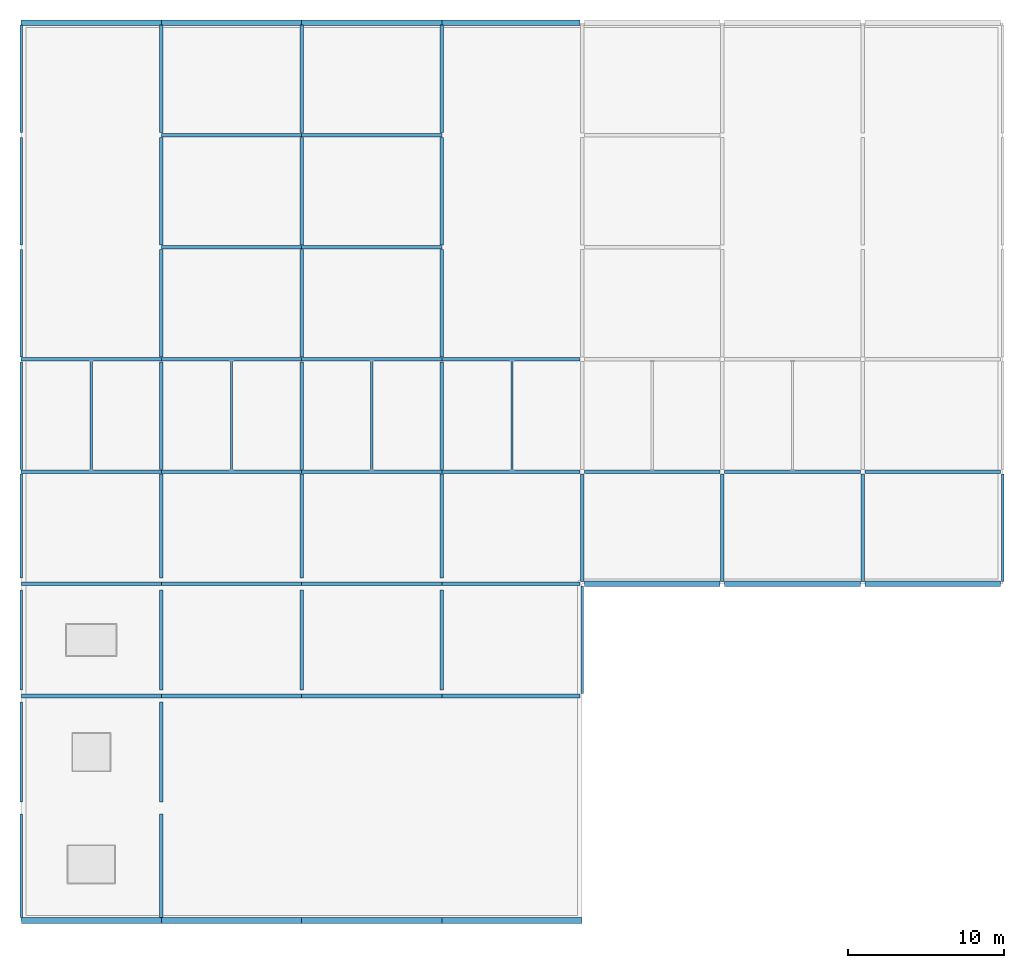
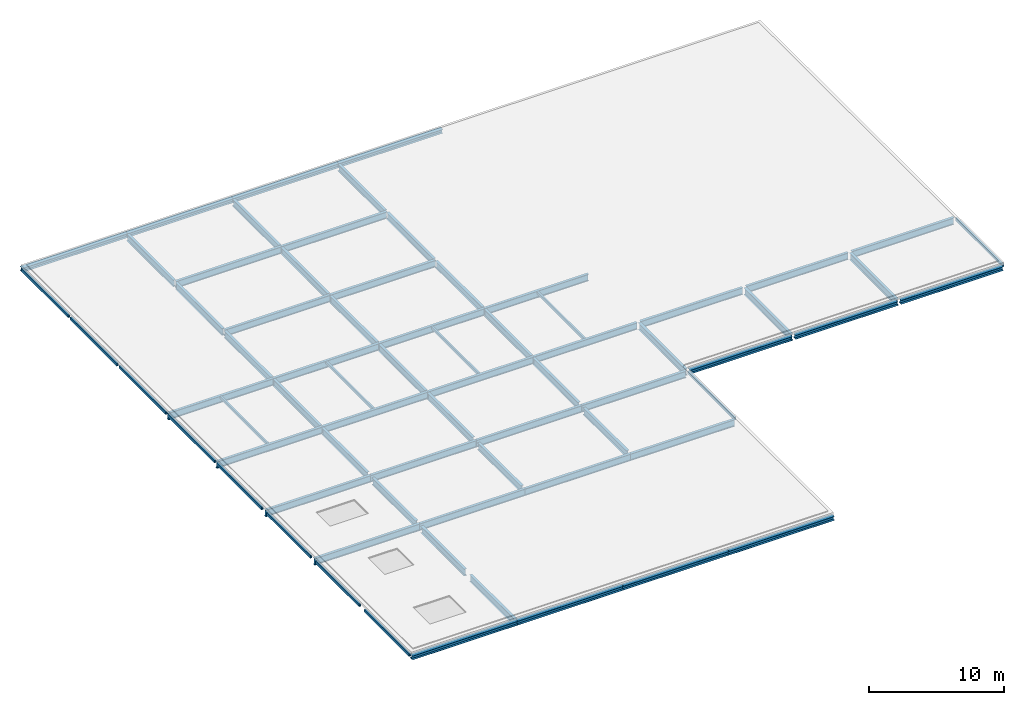
# One storey, part 1 of 7: 67 beams, 4 members.
"""IFC4 building model written with IfcOpenShell, lengths in metres."""

from ifc_helpers import new_model, si_unit, direction, frame, origin, origin_2d, place, context, subcontext, project, spatial, hollow_rectangle, i_section, extrude, material, material_profile, profile_set, type_object, element, save


model = new_model("IFC4")

# Units and contexts
model_context = context("Model", 3, precision=1e-05, world=origin(), true_north=direction((0.0, 1.0)))
body_context = subcontext(model_context, "Body", "Model", "MODEL_VIEW")
ifc_project = project(units=[si_unit("LENGTHUNIT", "METRE"), si_unit("AREAUNIT", "SQUARE_METRE"), si_unit("VOLUMEUNIT", "CUBIC_METRE"), si_unit("PLANEANGLEUNIT", "RADIAN"), si_unit("MASSUNIT", "GRAM", prefix="KILO")], contexts=[model_context])

# Site, building, storey
site_placement = place(None, origin())
site = spatial("IfcSite", under=ifc_project, at=site_placement, CompositionType="ELEMENT")
building_placement = place(site_placement, origin())
building = spatial("IfcBuilding", under=site, at=building_placement, Name="Celestram Park Convention Centre", CompositionType="ELEMENT")
storey_placement = place(building_placement, frame((0.0, 0.0, 28.800048828125)))
storey = spatial("IfcBuildingStorey", under=building, at=storey_placement, Name="RF", CompositionType="ELEMENT", Elevation=28.800048828125)

# Beams
ifc_material_1 = material(Name="Steel ASTM A992 Grade 50", Category="steel")
ifc_material_profile_1 = material_profile(ifc_material_1, i_section(OverallWidth=0.22900390625, OverallDepth=0.612060546875, WebThickness=0.011962890625, FlangeThickness=0.01953125, at=origin_2d()), Name="W24X84")
ifc_profile_set_1 = profile_set([ifc_material_profile_1], Name="Steel ASTM A992 Grade 50")
beam_type_1 = type_object("IfcBeamType", Name="STR-BM-W24X84", PredefinedType="BEAM", material=ifc_profile_set_1)
for number, where, z_axis, x_axis, name in (
    (1, (36.00634765625, 122.39990234375, -0.546142578125), (1.0, 0.0, 0.0), (0.0, 1.0, 0.0), "Primary X-girder BG-RF-0004"),
    (2, (36.00634765625, 129.60009765625, -0.546142578125), (1.0, 0.0, 0.0), (0.0, 1.0, 0.0), "Primary X-girder BG-RF-0006"),
):
    element("IfcBeam", number, at=place(storey_placement, frame(where, z_axis=z_axis, x_axis=x_axis)), inside=storey, type_object=beam_type_1, Name=name, PredefinedType="BEAM", context=body_context, shape_type="SweptSolid", body=[
        extrude(i_section(OverallWidth=0.22900390625, OverallDepth=0.612060546875, WebThickness=0.011962890625, FlangeThickness=0.01953125, at=origin_2d()), origin(), (0.0, 0.0, 1.0), 8.9873046875),
    ])
for number, where, z_axis, x_axis, name in (
    (3, (36.0048828125, 136.800048828125, -0.546142578125), (1.0, 0.0, 0.0), (0.0, 1.0, 0.0), "Primary X-girder BG-RF-0008"),
    (4, (36.0048828125, 144.0, -0.546142578125), (1.0, 0.0, 0.0), (0.0, 1.0, 0.0), "Primary X-girder BG-RF-0010"),
):
    element("IfcBeam", number, at=place(storey_placement, frame(where, z_axis=z_axis, x_axis=x_axis)), inside=storey, type_object=beam_type_1, Name=name, PredefinedType="BEAM", context=body_context, shape_type="SweptSolid", body=[
        extrude(i_section(OverallWidth=0.22900390625, OverallDepth=0.612060546875, WebThickness=0.011962890625, FlangeThickness=0.01953125, at=origin_2d()), origin(), (0.0, 0.0, 1.0), 8.990234375),
    ])
beam_1_placement = place(storey_placement, frame((45.0, 108.1845703125, -0.546142578125), z_axis=(0.0, 1.0, 0.0), x_axis=(-1.0, 0.0, 0.0)))
element("IfcBeam", 5, at=beam_1_placement, inside=storey, type_object=beam_type_1, Name="Primary Y-girder BG-RF-0016", PredefinedType="BEAM", context=body_context, shape_type="SweptSolid", body=[
    extrude(i_section(OverallWidth=0.22900390625, OverallDepth=0.612060546875, WebThickness=0.011962890625, FlangeThickness=0.01953125, at=origin_2d()), origin(), (0.0, 0.0, 1.0), 6.63134765625),
])
beam_2_placement = place(storey_placement, frame((45.0, 115.583984375, -0.546142578125), z_axis=(0.0, 1.0, 0.0), x_axis=(-1.0, 0.0, 0.0)))
element("IfcBeam", 6, at=beam_2_placement, inside=storey, type_object=beam_type_1, Name="Primary Y-girder BG-RF-0017", PredefinedType="BEAM", context=body_context, shape_type="SweptSolid", body=[
    extrude(i_section(OverallWidth=0.22900390625, OverallDepth=0.612060546875, WebThickness=0.011962890625, FlangeThickness=0.01953125, at=origin_2d()), origin(), (0.0, 0.0, 1.0), 6.43212890625),
])
beam_3_placement = place(storey_placement, frame((45.00634765625, 122.39990234375, -0.546142578125), z_axis=(1.0, 0.0, 0.0), x_axis=(0.0, 1.0, 0.0)))
element("IfcBeam", 7, at=beam_3_placement, inside=storey, type_object=beam_type_1, Name="Primary X-girder BG-RF-0018", PredefinedType="BEAM", context=body_context, shape_type="SweptSolid", body=[
    extrude(i_section(OverallWidth=0.22900390625, OverallDepth=0.612060546875, WebThickness=0.011962890625, FlangeThickness=0.01953125, at=origin_2d()), origin(), (0.0, 0.0, 1.0), 8.9873046875),
])
beam_4_placement = place(storey_placement, frame((45.0, 122.783935546875, -0.546142578125), z_axis=(0.0, 1.0, 0.0), x_axis=(-1.0, 0.0, 0.0)))
element("IfcBeam", 8, at=beam_4_placement, inside=storey, type_object=beam_type_1, Name="Primary Y-girder BG-RF-0019", PredefinedType="BEAM", context=body_context, shape_type="SweptSolid", body=[
    extrude(i_section(OverallWidth=0.22900390625, OverallDepth=0.612060546875, WebThickness=0.011962890625, FlangeThickness=0.01953125, at=origin_2d()), origin(), (0.0, 0.0, 1.0), 6.43212890625),
])
beam_5_placement = place(storey_placement, frame((45.00634765625, 129.60009765625, -0.546142578125), z_axis=(1.0, 0.0, 0.0), x_axis=(0.0, 1.0, 0.0)))
element("IfcBeam", 9, at=beam_5_placement, inside=storey, type_object=beam_type_1, Name="Primary X-girder BG-RF-0020", PredefinedType="BEAM", context=body_context, shape_type="SweptSolid", body=[
    extrude(i_section(OverallWidth=0.22900390625, OverallDepth=0.612060546875, WebThickness=0.011962890625, FlangeThickness=0.01953125, at=origin_2d()), origin(), (0.0, 0.0, 1.0), 8.9873046875),
])
beam_6_placement = place(storey_placement, frame((45.0, 129.98388671875, -0.546142578125), z_axis=(0.0, 1.0, 0.0), x_axis=(-1.0, 0.0, 0.0)))
element("IfcBeam", 10, at=beam_6_placement, inside=storey, type_object=beam_type_1, Name="Primary Y-girder BG-RF-0021", PredefinedType="BEAM", context=body_context, shape_type="SweptSolid", body=[
    extrude(i_section(OverallWidth=0.22900390625, OverallDepth=0.612060546875, WebThickness=0.011962890625, FlangeThickness=0.01953125, at=origin_2d()), origin(), (0.0, 0.0, 1.0), 6.66455078125),
])
beam_7_placement = place(storey_placement, frame((45.0048828125, 136.800048828125, -0.546142578125), z_axis=(1.0, 0.0, 0.0), x_axis=(0.0, 1.0, 0.0)))
element("IfcBeam", 11, at=beam_7_placement, inside=storey, type_object=beam_type_1, Name="Primary X-girder BG-RF-0022", PredefinedType="BEAM", context=body_context, shape_type="SweptSolid", body=[
    extrude(i_section(OverallWidth=0.22900390625, OverallDepth=0.612060546875, WebThickness=0.011962890625, FlangeThickness=0.01953125, at=origin_2d()), origin(), (0.0, 0.0, 1.0), 8.990234375),
])
beam_8_placement = place(storey_placement, frame((45.0, 136.951416015625, -0.546142578125), z_axis=(0.0, 1.0, 0.0), x_axis=(-1.0, 0.0, 0.0)))
element("IfcBeam", 12, at=beam_8_placement, inside=storey, type_object=beam_type_1, Name="Primary Y-girder BG-RF-0023", PredefinedType="BEAM", context=body_context, shape_type="SweptSolid", body=[
    extrude(i_section(OverallWidth=0.22900390625, OverallDepth=0.612060546875, WebThickness=0.011962890625, FlangeThickness=0.01953125, at=origin_2d()), origin(), (0.0, 0.0, 1.0), 6.89697265625),
])
beam_9_placement = place(storey_placement, frame((45.0048828125, 144.0, -0.546142578125), z_axis=(1.0, 0.0, 0.0), x_axis=(0.0, 1.0, 0.0)))
element("IfcBeam", 13, at=beam_9_placement, inside=storey, type_object=beam_type_1, Name="Primary X-girder BG-RF-0024", PredefinedType="BEAM", context=body_context, shape_type="SweptSolid", body=[
    extrude(i_section(OverallWidth=0.22900390625, OverallDepth=0.612060546875, WebThickness=0.011962890625, FlangeThickness=0.01953125, at=origin_2d()), origin(), (0.0, 0.0, 1.0), 8.990234375),
])
beam_10_placement = place(storey_placement, frame((45.0, 144.151611328125, -0.546142578125), z_axis=(0.0, 1.0, 0.0), x_axis=(-1.0, 0.0, 0.0)))
element("IfcBeam", 14, at=beam_10_placement, inside=storey, type_object=beam_type_1, Name="Primary Y-girder BG-RF-0025", PredefinedType="BEAM", context=body_context, shape_type="SweptSolid", body=[
    extrude(i_section(OverallWidth=0.22900390625, OverallDepth=0.612060546875, WebThickness=0.011962890625, FlangeThickness=0.01953125, at=origin_2d()), origin(), (0.0, 0.0, 1.0), 6.89697265625),
])
beam_11_placement = place(storey_placement, frame((45.0048828125, 151.199951171875, -0.546142578125), z_axis=(1.0, 0.0, 0.0), x_axis=(0.0, 1.0, 0.0)))
element("IfcBeam", 15, at=beam_11_placement, inside=storey, type_object=beam_type_1, Name="Primary X-girder BG-RF-0026", PredefinedType="BEAM", context=body_context, shape_type="SweptSolid", body=[
    extrude(i_section(OverallWidth=0.22900390625, OverallDepth=0.612060546875, WebThickness=0.011962890625, FlangeThickness=0.01953125, at=origin_2d()), origin(), (0.0, 0.0, 1.0), 8.990234375),
])
beam_12_placement = place(storey_placement, frame((45.0, 151.3515625, -0.546142578125), z_axis=(0.0, 1.0, 0.0), x_axis=(-1.0, 0.0, 0.0)))
element("IfcBeam", 16, at=beam_12_placement, inside=storey, type_object=beam_type_1, Name="Primary Y-girder BG-RF-0027", PredefinedType="BEAM", context=body_context, shape_type="SweptSolid", body=[
    extrude(i_section(OverallWidth=0.22900390625, OverallDepth=0.612060546875, WebThickness=0.011962890625, FlangeThickness=0.01953125, at=origin_2d()), origin(), (0.0, 0.0, 1.0), 6.89697265625),
])
beam_13_placement = place(storey_placement, frame((45.0048828125, 158.39990234375, -0.546142578125), z_axis=(1.0, 0.0, 0.0), x_axis=(0.0, 1.0, 0.0)))
element("IfcBeam", 17, at=beam_13_placement, inside=storey, type_object=beam_type_1, Name="Primary X-girder BG-RF-0028", PredefinedType="BEAM", context=body_context, shape_type="SweptSolid", body=[
    extrude(i_section(OverallWidth=0.22900390625, OverallDepth=0.612060546875, WebThickness=0.011962890625, FlangeThickness=0.01953125, at=origin_2d()), origin(), (0.0, 0.0, 1.0), 8.990234375),
])
beam_14_placement = place(storey_placement, frame((45.0, 158.551513671875, -0.546142578125), z_axis=(0.0, 1.0, 0.0), x_axis=(-1.0, 0.0, 0.0)))
element("IfcBeam", 18, at=beam_14_placement, inside=storey, type_object=beam_type_1, Name="Primary Y-girder BG-RF-0029", PredefinedType="BEAM", context=body_context, shape_type="SweptSolid", body=[
    extrude(i_section(OverallWidth=0.22900390625, OverallDepth=0.612060546875, WebThickness=0.011962890625, FlangeThickness=0.01953125, at=origin_2d()), origin(), (0.0, 0.0, 1.0), 6.89697265625),
])
beam_15_placement = place(storey_placement, frame((54.00634765625, 122.39990234375, -0.546142578125), z_axis=(1.0, 0.0, 0.0), x_axis=(0.0, 1.0, 0.0)))
element("IfcBeam", 19, at=beam_15_placement, inside=storey, type_object=beam_type_1, Name="Primary X-girder BG-RF-0032", PredefinedType="BEAM", context=body_context, shape_type="SweptSolid", body=[
    extrude(i_section(OverallWidth=0.22900390625, OverallDepth=0.612060546875, WebThickness=0.011962890625, FlangeThickness=0.01953125, at=origin_2d()), origin(), (0.0, 0.0, 1.0), 8.9873046875),
])
beam_16_placement = place(storey_placement, frame((54.0, 122.783935546875, -0.546142578125), z_axis=(0.0, 1.0, 0.0), x_axis=(-1.0, 0.0, 0.0)))
element("IfcBeam", 20, at=beam_16_placement, inside=storey, type_object=beam_type_1, Name="Primary Y-girder BG-RF-0033", PredefinedType="BEAM", context=body_context, shape_type="SweptSolid", body=[
    extrude(i_section(OverallWidth=0.22900390625, OverallDepth=0.612060546875, WebThickness=0.011962890625, FlangeThickness=0.01953125, at=origin_2d()), origin(), (0.0, 0.0, 1.0), 6.43212890625),
])
beam_17_placement = place(storey_placement, frame((54.00634765625, 129.60009765625, -0.546142578125), z_axis=(1.0, 0.0, 0.0), x_axis=(0.0, 1.0, 0.0)))
element("IfcBeam", 21, at=beam_17_placement, inside=storey, type_object=beam_type_1, Name="Primary X-girder BG-RF-0034", PredefinedType="BEAM", context=body_context, shape_type="SweptSolid", body=[
    extrude(i_section(OverallWidth=0.22900390625, OverallDepth=0.612060546875, WebThickness=0.011962890625, FlangeThickness=0.01953125, at=origin_2d()), origin(), (0.0, 0.0, 1.0), 8.9873046875),
])
beam_18_placement = place(storey_placement, frame((54.0, 129.98388671875, -0.546142578125), z_axis=(0.0, 1.0, 0.0), x_axis=(-1.0, 0.0, 0.0)))
element("IfcBeam", 22, at=beam_18_placement, inside=storey, type_object=beam_type_1, Name="Primary Y-girder BG-RF-0035", PredefinedType="BEAM", context=body_context, shape_type="SweptSolid", body=[
    extrude(i_section(OverallWidth=0.22900390625, OverallDepth=0.612060546875, WebThickness=0.011962890625, FlangeThickness=0.01953125, at=origin_2d()), origin(), (0.0, 0.0, 1.0), 6.66455078125),
])
beam_19_placement = place(storey_placement, frame((54.0048828125, 136.800048828125, -0.546142578125), z_axis=(1.0, 0.0, 0.0), x_axis=(0.0, 1.0, 0.0)))
element("IfcBeam", 23, at=beam_19_placement, inside=storey, type_object=beam_type_1, Name="Primary X-girder BG-RF-0036", PredefinedType="BEAM", context=body_context, shape_type="SweptSolid", body=[
    extrude(i_section(OverallWidth=0.22900390625, OverallDepth=0.612060546875, WebThickness=0.011962890625, FlangeThickness=0.01953125, at=origin_2d()), origin(), (0.0, 0.0, 1.0), 8.990234375),
])
beam_20_placement = place(storey_placement, frame((54.0, 136.951416015625, -0.546142578125), z_axis=(0.0, 1.0, 0.0), x_axis=(-1.0, 0.0, 0.0)))
element("IfcBeam", 24, at=beam_20_placement, inside=storey, type_object=beam_type_1, Name="Primary Y-girder BG-RF-0037", PredefinedType="BEAM", context=body_context, shape_type="SweptSolid", body=[
    extrude(i_section(OverallWidth=0.22900390625, OverallDepth=0.612060546875, WebThickness=0.011962890625, FlangeThickness=0.01953125, at=origin_2d()), origin(), (0.0, 0.0, 1.0), 6.89697265625),
])
beam_21_placement = place(storey_placement, frame((54.0048828125, 144.0, -0.546142578125), z_axis=(1.0, 0.0, 0.0), x_axis=(0.0, 1.0, 0.0)))
element("IfcBeam", 25, at=beam_21_placement, inside=storey, type_object=beam_type_1, Name="Primary X-girder BG-RF-0038", PredefinedType="BEAM", context=body_context, shape_type="SweptSolid", body=[
    extrude(i_section(OverallWidth=0.22900390625, OverallDepth=0.612060546875, WebThickness=0.011962890625, FlangeThickness=0.01953125, at=origin_2d()), origin(), (0.0, 0.0, 1.0), 8.990234375),
])
beam_22_placement = place(storey_placement, frame((54.0, 144.151611328125, -0.546142578125), z_axis=(0.0, 1.0, 0.0), x_axis=(-1.0, 0.0, 0.0)))
element("IfcBeam", 26, at=beam_22_placement, inside=storey, type_object=beam_type_1, Name="Primary Y-girder BG-RF-0039", PredefinedType="BEAM", context=body_context, shape_type="SweptSolid", body=[
    extrude(i_section(OverallWidth=0.22900390625, OverallDepth=0.612060546875, WebThickness=0.011962890625, FlangeThickness=0.01953125, at=origin_2d()), origin(), (0.0, 0.0, 1.0), 6.89697265625),
])
beam_23_placement = place(storey_placement, frame((54.0048828125, 151.199951171875, -0.546142578125), z_axis=(1.0, 0.0, 0.0), x_axis=(0.0, 1.0, 0.0)))
element("IfcBeam", 27, at=beam_23_placement, inside=storey, type_object=beam_type_1, Name="Primary X-girder BG-RF-0040", PredefinedType="BEAM", context=body_context, shape_type="SweptSolid", body=[
    extrude(i_section(OverallWidth=0.22900390625, OverallDepth=0.612060546875, WebThickness=0.011962890625, FlangeThickness=0.01953125, at=origin_2d()), origin(), (0.0, 0.0, 1.0), 8.990234375),
])
beam_24_placement = place(storey_placement, frame((54.0, 151.3515625, -0.546142578125), z_axis=(0.0, 1.0, 0.0), x_axis=(-1.0, 0.0, 0.0)))
element("IfcBeam", 28, at=beam_24_placement, inside=storey, type_object=beam_type_1, Name="Primary Y-girder BG-RF-0041", PredefinedType="BEAM", context=body_context, shape_type="SweptSolid", body=[
    extrude(i_section(OverallWidth=0.22900390625, OverallDepth=0.612060546875, WebThickness=0.011962890625, FlangeThickness=0.01953125, at=origin_2d()), origin(), (0.0, 0.0, 1.0), 6.89697265625),
])
beam_25_placement = place(storey_placement, frame((54.0048828125, 158.39990234375, -0.546142578125), z_axis=(1.0, 0.0, 0.0), x_axis=(0.0, 1.0, 0.0)))
element("IfcBeam", 29, at=beam_25_placement, inside=storey, type_object=beam_type_1, Name="Primary X-girder BG-RF-0042", PredefinedType="BEAM", context=body_context, shape_type="SweptSolid", body=[
    extrude(i_section(OverallWidth=0.22900390625, OverallDepth=0.612060546875, WebThickness=0.011962890625, FlangeThickness=0.01953125, at=origin_2d()), origin(), (0.0, 0.0, 1.0), 8.990234375),
])
beam_26_placement = place(storey_placement, frame((54.0, 158.551513671875, -0.546142578125), z_axis=(0.0, 1.0, 0.0), x_axis=(-1.0, 0.0, 0.0)))
element("IfcBeam", 30, at=beam_26_placement, inside=storey, type_object=beam_type_1, Name="Primary Y-girder BG-RF-0043", PredefinedType="BEAM", context=body_context, shape_type="SweptSolid", body=[
    extrude(i_section(OverallWidth=0.22900390625, OverallDepth=0.612060546875, WebThickness=0.011962890625, FlangeThickness=0.01953125, at=origin_2d()), origin(), (0.0, 0.0, 1.0), 6.89697265625),
])
beam_27_placement = place(storey_placement, frame((63.00634765625, 122.39990234375, -0.546142578125), z_axis=(1.0, 0.0, 0.0), x_axis=(0.0, 1.0, 0.0)))
element("IfcBeam", 31, at=beam_27_placement, inside=storey, type_object=beam_type_1, Name="Primary X-girder BG-RF-0046", PredefinedType="BEAM", context=body_context, shape_type="SweptSolid", body=[
    extrude(i_section(OverallWidth=0.22900390625, OverallDepth=0.612060546875, WebThickness=0.011962890625, FlangeThickness=0.01953125, at=origin_2d()), origin(), (0.0, 0.0, 1.0), 8.847412109375),
])
beam_28_placement = place(storey_placement, frame((63.0, 122.783935546875, -0.546142578125), z_axis=(0.0, 1.0, 0.0), x_axis=(-1.0, 0.0, 0.0)))
element("IfcBeam", 32, at=beam_28_placement, inside=storey, type_object=beam_type_1, Name="Primary Y-girder BG-RF-0047", PredefinedType="BEAM", context=body_context, shape_type="SweptSolid", body=[
    extrude(i_section(OverallWidth=0.22900390625, OverallDepth=0.612060546875, WebThickness=0.011962890625, FlangeThickness=0.01953125, at=origin_2d()), origin(), (0.0, 0.0, 1.0), 6.43212890625),
])
beam_29_placement = place(storey_placement, frame((63.00634765625, 129.60009765625, -0.546142578125), z_axis=(1.0, 0.0, 0.0), x_axis=(0.0, 1.0, 0.0)))
element("IfcBeam", 33, at=beam_29_placement, inside=storey, type_object=beam_type_1, Name="Primary X-girder BG-RF-0048", PredefinedType="BEAM", context=body_context, shape_type="SweptSolid", body=[
    extrude(i_section(OverallWidth=0.22900390625, OverallDepth=0.612060546875, WebThickness=0.011962890625, FlangeThickness=0.01953125, at=origin_2d()), origin(), (0.0, 0.0, 1.0), 8.847412109375),
])
beam_30_placement = place(storey_placement, frame((63.0, 129.98388671875, -0.546142578125), z_axis=(0.0, 1.0, 0.0), x_axis=(-1.0, 0.0, 0.0)))
element("IfcBeam", 34, at=beam_30_placement, inside=storey, type_object=beam_type_1, Name="Primary Y-girder BG-RF-0049", PredefinedType="BEAM", context=body_context, shape_type="SweptSolid", body=[
    extrude(i_section(OverallWidth=0.22900390625, OverallDepth=0.612060546875, WebThickness=0.011962890625, FlangeThickness=0.01953125, at=origin_2d()), origin(), (0.0, 0.0, 1.0), 6.66455078125),
])
beam_31_placement = place(storey_placement, frame((63.0048828125, 136.800048828125, -0.546142578125), z_axis=(1.0, 0.0, 0.0), x_axis=(0.0, 1.0, 0.0)))
element("IfcBeam", 35, at=beam_31_placement, inside=storey, type_object=beam_type_1, Name="Primary X-girder BG-RF-0050", PredefinedType="BEAM", context=body_context, shape_type="SweptSolid", body=[
    extrude(i_section(OverallWidth=0.22900390625, OverallDepth=0.612060546875, WebThickness=0.011962890625, FlangeThickness=0.01953125, at=origin_2d()), origin(), (0.0, 0.0, 1.0), 8.848876953125),
])
beam_32_placement = place(storey_placement, frame((63.0, 136.951416015625, -0.546142578125), z_axis=(0.0, 1.0, 0.0), x_axis=(-1.0, 0.0, 0.0)))
element("IfcBeam", 36, at=beam_32_placement, inside=storey, type_object=beam_type_1, Name="Primary Y-girder BG-RF-0051", PredefinedType="BEAM", context=body_context, shape_type="SweptSolid", body=[
    extrude(i_section(OverallWidth=0.22900390625, OverallDepth=0.612060546875, WebThickness=0.011962890625, FlangeThickness=0.01953125, at=origin_2d()), origin(), (0.0, 0.0, 1.0), 6.89697265625),
])
beam_33_placement = place(storey_placement, frame((63.0048828125, 144.0, -0.546142578125), z_axis=(1.0, 0.0, 0.0), x_axis=(0.0, 1.0, 0.0)))
element("IfcBeam", 37, at=beam_33_placement, inside=storey, type_object=beam_type_1, Name="Primary X-girder BG-RF-0052", PredefinedType="BEAM", context=body_context, shape_type="SweptSolid", body=[
    extrude(i_section(OverallWidth=0.22900390625, OverallDepth=0.612060546875, WebThickness=0.011962890625, FlangeThickness=0.01953125, at=origin_2d()), origin(), (0.0, 0.0, 1.0), 8.848876953125),
])
for number, where, z_axis, x_axis, name in (
    (38, (63.0, 144.151611328125, -0.546142578125), (0.0, 1.0, 0.0), (-1.0, 0.0, 0.0), "Primary Y-girder BG-RF-0053"),
    (39, (63.0, 151.3515625, -0.546142578125), (0.0, 1.0, 0.0), (-1.0, 0.0, 0.0), "Primary Y-girder BG-RF-0054"),
    (40, (63.0, 158.551513671875, -0.546142578125), (0.0, 1.0, 0.0), (-1.0, 0.0, 0.0), "Primary Y-girder BG-RF-0055"),
):
    element("IfcBeam", number, at=place(storey_placement, frame(where, z_axis=z_axis, x_axis=x_axis)), inside=storey, type_object=beam_type_1, Name=name, PredefinedType="BEAM", context=body_context, shape_type="SweptSolid", body=[
        extrude(i_section(OverallWidth=0.22900390625, OverallDepth=0.612060546875, WebThickness=0.011962890625, FlangeThickness=0.01953125, at=origin_2d()), origin(), (0.0, 0.0, 1.0), 6.89697265625),
    ])
beam_34_placement = place(storey_placement, frame((72.0, 129.74609375, -0.546142578125), z_axis=(0.0, 1.0, 0.0), x_axis=(-1.0, 0.0, 0.0)))
element("IfcBeam", 41, at=beam_34_placement, inside=storey, type_object=beam_type_1, Name="Primary Y-girder BG-RF-0059", PredefinedType="BEAM", context=body_context, shape_type="SweptSolid", body=[
    extrude(i_section(OverallWidth=0.22900390625, OverallDepth=0.612060546875, WebThickness=0.011962890625, FlangeThickness=0.01953125, at=origin_2d()), origin(), (0.0, 0.0, 1.0), 6.90771484375),
])
beam_35_placement = place(storey_placement, frame((72.146240234375, 136.800048828125, -0.546142578125), z_axis=(1.0, 0.0, 0.0), x_axis=(0.0, 1.0, 0.0)))
element("IfcBeam", 42, at=beam_35_placement, inside=storey, type_object=beam_type_1, Name="Primary X-girder BG-RF-0060", PredefinedType="BEAM", context=body_context, shape_type="SweptSolid", body=[
    extrude(i_section(OverallWidth=0.22900390625, OverallDepth=0.612060546875, WebThickness=0.011962890625, FlangeThickness=0.01953125, at=origin_2d()), origin(), (0.0, 0.0, 1.0), 8.70751953125),
])
beam_36_placement = place(storey_placement, frame((81.0, 129.74609375, -0.546142578125), z_axis=(0.0, 1.0, 0.0), x_axis=(-1.0, 0.0, 0.0)))
element("IfcBeam", 43, at=beam_36_placement, inside=storey, type_object=beam_type_1, Name="Primary Y-girder BG-RF-0070", PredefinedType="BEAM", context=body_context, shape_type="SweptSolid", body=[
    extrude(i_section(OverallWidth=0.22900390625, OverallDepth=0.612060546875, WebThickness=0.011962890625, FlangeThickness=0.01953125, at=origin_2d()), origin(), (0.0, 0.0, 1.0), 6.90771484375),
])
beam_37_placement = place(storey_placement, frame((81.146240234375, 136.800048828125, -0.546142578125), z_axis=(1.0, 0.0, 0.0), x_axis=(0.0, 1.0, 0.0)))
element("IfcBeam", 44, at=beam_37_placement, inside=storey, type_object=beam_type_1, Name="Primary X-girder BG-RF-0071", PredefinedType="BEAM", context=body_context, shape_type="SweptSolid", body=[
    extrude(i_section(OverallWidth=0.22900390625, OverallDepth=0.612060546875, WebThickness=0.011962890625, FlangeThickness=0.01953125, at=origin_2d()), origin(), (0.0, 0.0, 1.0), 8.70751953125),
])
beam_38_placement = place(storey_placement, frame((90.0, 129.74609375, -0.546142578125), z_axis=(0.0, 1.0, 0.0), x_axis=(-1.0, 0.0, 0.0)))
element("IfcBeam", 45, at=beam_38_placement, inside=storey, type_object=beam_type_1, Name="Primary Y-girder BG-RF-0079", PredefinedType="BEAM", context=body_context, shape_type="SweptSolid", body=[
    extrude(i_section(OverallWidth=0.22900390625, OverallDepth=0.612060546875, WebThickness=0.011962890625, FlangeThickness=0.01953125, at=origin_2d()), origin(), (0.0, 0.0, 1.0), 6.90771484375),
])
beam_39_placement = place(storey_placement, frame((90.146240234375, 136.800048828125, -0.546142578125), z_axis=(1.0, 0.0, 0.0), x_axis=(0.0, 1.0, 0.0)))
element("IfcBeam", 46, at=beam_39_placement, inside=storey, type_object=beam_type_1, Name="Primary X-girder BG-RF-0080", PredefinedType="BEAM", context=body_context, shape_type="SweptSolid", body=[
    extrude(i_section(OverallWidth=0.22900390625, OverallDepth=0.612060546875, WebThickness=0.011962890625, FlangeThickness=0.01953125, at=origin_2d()), origin(), (0.0, 0.0, 1.0), 8.70751953125),
])

# Members
ifc_material_2 = material(Name="Steel ASTM A500 Grade C", Category="steel")
ifc_material_profile_2 = material_profile(ifc_material_2, hollow_rectangle(XDim=0.14990234375, YDim=0.25, WallThickness=0.010009765625, at=origin_2d()), Name="HSS250X150X10")
ifc_profile_set_2 = profile_set([ifc_material_profile_2], Name="Steel ASTM A500 Grade C")
member_type = type_object("IfcMemberType", Name="STR-RFT-HSS250X150", PredefinedType="RAFTER", material=ifc_profile_set_2)
for number, where, z_axis, x_axis, name in (
    (47, (40.5, 136.909912109375, -0.364990234375), (0.0, 1.0, 0.0), (-1.0, 0.0, 0.0), "Crown flat roof purlin"),
    (48, (49.5, 136.909912109375, -0.364990234375), (0.0, 1.0, 0.0), (-1.0, 0.0, 0.0), "Crown flat roof purlin"),
    (49, (58.5, 136.909912109375, -0.364990234375), (0.0, 1.0, 0.0), (-1.0, 0.0, 0.0), "Crown flat roof purlin"),
    (50, (67.5, 136.909912109375, -0.364990234375), (0.0, 1.0, 0.0), (-1.0, 0.0, 0.0), "Crown flat roof purlin"),
):
    element("IfcMember", number, at=place(storey_placement, frame(where, z_axis=z_axis, x_axis=x_axis)), inside=storey, type_object=member_type, Name=name, PredefinedType="RAFTER", context=body_context, shape_type="SweptSolid", body=[
        extrude(hollow_rectangle(XDim=0.14990234375, YDim=0.25, WallThickness=0.010009765625, at=origin_2d()), origin(), (0.0, 0.0, 1.0), 6.97998046875),
    ])

# Beams
ifc_material_profile_3 = material_profile(ifc_material_2, hollow_rectangle(XDim=0.14990234375, YDim=0.25, WallThickness=0.010009765625, at=origin_2d()), Name="HSS250X150X10")
ifc_profile_set_3 = profile_set([ifc_material_profile_3], Name="Steel ASTM A500 Grade C")
beam_type_2 = type_object("IfcBeamType", Name="STR-SPN-HSS250X150", PredefinedType="SPANDREL", material=ifc_profile_set_3)
beam_40_placement = place(storey_placement, frame((36.0, 108.1845703125, -0.364990234375), z_axis=(0.0, 1.0, 0.0), x_axis=(-1.0, 0.0, 0.0)))
element("IfcBeam", 51, at=beam_40_placement, inside=storey, type_object=beam_type_2, Name="Primary Y-girder BG-RF-0002", PredefinedType="SPANDREL", context=body_context, shape_type="SweptSolid", body=[
    extrude(hollow_rectangle(XDim=0.14990234375, YDim=0.25, WallThickness=0.010009765625, at=origin_2d()), origin(), (0.0, 0.0, 1.0), 6.63134765625),
])
for number, where, z_axis, x_axis, name in (
    (52, (36.0, 115.583984375, -0.364990234375), (0.0, 1.0, 0.0), (-1.0, 0.0, 0.0), "Primary Y-girder BG-RF-0003"),
    (53, (36.0, 122.783935546875, -0.364990234375), (0.0, 1.0, 0.0), (-1.0, 0.0, 0.0), "Primary Y-girder BG-RF-0005"),
):
    element("IfcBeam", number, at=place(storey_placement, frame(where, z_axis=z_axis, x_axis=x_axis)), inside=storey, type_object=beam_type_2, Name=name, PredefinedType="SPANDREL", context=body_context, shape_type="SweptSolid", body=[
        extrude(hollow_rectangle(XDim=0.14990234375, YDim=0.25, WallThickness=0.010009765625, at=origin_2d()), origin(), (0.0, 0.0, 1.0), 6.43212890625),
    ])
beam_41_placement = place(storey_placement, frame((36.0, 129.98388671875, -0.364990234375), z_axis=(0.0, 1.0, 0.0), x_axis=(-1.0, 0.0, 0.0)))
element("IfcBeam", 54, at=beam_41_placement, inside=storey, type_object=beam_type_2, Name="Primary Y-girder BG-RF-0007", PredefinedType="SPANDREL", context=body_context, shape_type="SweptSolid", body=[
    extrude(hollow_rectangle(XDim=0.14990234375, YDim=0.25, WallThickness=0.010009765625, at=origin_2d()), origin(), (0.0, 0.0, 1.0), 6.66455078125),
])
for number, where, z_axis, x_axis, name in (
    (55, (36.0, 136.951416015625, -0.364990234375), (0.0, 1.0, 0.0), (-1.0, 0.0, 0.0), "Primary Y-girder BG-RF-0009"),
    (56, (36.0, 144.151611328125, -0.364990234375), (0.0, 1.0, 0.0), (-1.0, 0.0, 0.0), "Primary Y-girder BG-RF-0011"),
    (57, (36.0, 151.3515625, -0.364990234375), (0.0, 1.0, 0.0), (-1.0, 0.0, 0.0), "Primary Y-girder BG-RF-0012"),
    (58, (36.0, 158.551513671875, -0.364990234375), (0.0, 1.0, 0.0), (-1.0, 0.0, 0.0), "Primary Y-girder BG-RF-0013"),
):
    element("IfcBeam", number, at=place(storey_placement, frame(where, z_axis=z_axis, x_axis=x_axis)), inside=storey, type_object=beam_type_2, Name=name, PredefinedType="SPANDREL", context=body_context, shape_type="SweptSolid", body=[
        extrude(hollow_rectangle(XDim=0.14990234375, YDim=0.25, WallThickness=0.010009765625, at=origin_2d()), origin(), (0.0, 0.0, 1.0), 6.89697265625),
    ])
for number, where, z_axis, x_axis, name in (
    (59, (72.0, 122.546142578125, -0.364990234375), (0.0, 1.0, 0.0), (-1.0, 0.0, 0.0), "Primary Y-girder BG-RF-0057"),
    (60, (99.0, 129.74609375, -0.364990234375), (0.0, 1.0, 0.0), (-1.0, 0.0, 0.0), "Primary Y-girder BG-RF-0087"),
):
    element("IfcBeam", number, at=place(storey_placement, frame(where, z_axis=z_axis, x_axis=x_axis)), inside=storey, type_object=beam_type_2, Name=name, PredefinedType="SPANDREL", context=body_context, shape_type="SweptSolid", body=[
        extrude(hollow_rectangle(XDim=0.14990234375, YDim=0.25, WallThickness=0.010009765625, at=origin_2d()), origin(), (0.0, 0.0, 1.0), 6.90771484375),
    ])
ifc_material_profile_4 = material_profile(ifc_material_1, i_section(OverallWidth=0.367919921875, OverallDepth=0.35595703125, WebThickness=0.01123046875, FlangeThickness=0.01806640625, at=origin_2d()), Name="W14X90")
ifc_profile_set_4 = profile_set([ifc_material_profile_4], Name="Steel ASTM A992 Grade 50")
beam_type_3 = type_object("IfcBeamType", Name="STR-SPN-W14X90", PredefinedType="SPANDREL", material=ifc_profile_set_4)
beam_42_placement = place(storey_placement, frame((36.006103515625, 108.0, -0.41796875), z_axis=(1.0, 0.0, 0.0), x_axis=(0.0, 1.0, 0.0)))
element("IfcBeam", 61, at=beam_42_placement, inside=storey, type_object=beam_type_3, Name="Primary X-girder BG-RF-0001", PredefinedType="SPANDREL", context=body_context, shape_type="SweptSolid", body=[
    extrude(i_section(OverallWidth=0.367919921875, OverallDepth=0.35595703125, WebThickness=0.01123046875, FlangeThickness=0.01806640625, at=origin_2d()), origin(), (0.0, 0.0, 1.0), 8.98779296875),
])
beam_43_placement = place(storey_placement, frame((36.0048828125, 165.60009765625, -0.41796875), z_axis=(1.0, 0.0, 0.0), x_axis=(0.0, 1.0, 0.0)))
element("IfcBeam", 62, at=beam_43_placement, inside=storey, type_object=beam_type_3, Name="Primary X-girder BG-RF-0014", PredefinedType="SPANDREL", context=body_context, shape_type="SweptSolid", body=[
    extrude(i_section(OverallWidth=0.367919921875, OverallDepth=0.35595703125, WebThickness=0.01123046875, FlangeThickness=0.01806640625, at=origin_2d()), origin(), (0.0, 0.0, 1.0), 8.990234375),
])
beam_44_placement = place(storey_placement, frame((45.006103515625, 108.0, -0.41796875), z_axis=(1.0, 0.0, 0.0), x_axis=(0.0, 1.0, 0.0)))
element("IfcBeam", 63, at=beam_44_placement, inside=storey, type_object=beam_type_3, Name="Primary X-girder BG-RF-0015", PredefinedType="SPANDREL", context=body_context, shape_type="SweptSolid", body=[
    extrude(i_section(OverallWidth=0.367919921875, OverallDepth=0.35595703125, WebThickness=0.01123046875, FlangeThickness=0.01806640625, at=origin_2d()), origin(), (0.0, 0.0, 1.0), 8.98779296875),
])
beam_45_placement = place(storey_placement, frame((45.0048828125, 165.60009765625, -0.41796875), z_axis=(1.0, 0.0, 0.0), x_axis=(0.0, 1.0, 0.0)))
element("IfcBeam", 64, at=beam_45_placement, inside=storey, type_object=beam_type_3, Name="Primary X-girder BG-RF-0030", PredefinedType="SPANDREL", context=body_context, shape_type="SweptSolid", body=[
    extrude(i_section(OverallWidth=0.367919921875, OverallDepth=0.35595703125, WebThickness=0.01123046875, FlangeThickness=0.01806640625, at=origin_2d()), origin(), (0.0, 0.0, 1.0), 8.990234375),
])
beam_46_placement = place(storey_placement, frame((54.006103515625, 108.0, -0.41796875), z_axis=(1.0, 0.0, 0.0), x_axis=(0.0, 1.0, 0.0)))
element("IfcBeam", 65, at=beam_46_placement, inside=storey, type_object=beam_type_3, Name="Primary X-girder BG-RF-0031", PredefinedType="SPANDREL", context=body_context, shape_type="SweptSolid", body=[
    extrude(i_section(OverallWidth=0.367919921875, OverallDepth=0.35595703125, WebThickness=0.01123046875, FlangeThickness=0.01806640625, at=origin_2d()), origin(), (0.0, 0.0, 1.0), 8.98779296875),
])
beam_47_placement = place(storey_placement, frame((54.0048828125, 165.60009765625, -0.41796875), z_axis=(1.0, 0.0, 0.0), x_axis=(0.0, 1.0, 0.0)))
element("IfcBeam", 66, at=beam_47_placement, inside=storey, type_object=beam_type_3, Name="Primary X-girder BG-RF-0044", PredefinedType="SPANDREL", context=body_context, shape_type="SweptSolid", body=[
    extrude(i_section(OverallWidth=0.367919921875, OverallDepth=0.35595703125, WebThickness=0.01123046875, FlangeThickness=0.01806640625, at=origin_2d()), origin(), (0.0, 0.0, 1.0), 8.990234375),
])
beam_48_placement = place(storey_placement, frame((63.006103515625, 108.0, -0.41796875), z_axis=(1.0, 0.0, 0.0), x_axis=(0.0, 1.0, 0.0)))
element("IfcBeam", 67, at=beam_48_placement, inside=storey, type_object=beam_type_3, Name="Primary X-girder BG-RF-0045", PredefinedType="SPANDREL", context=body_context, shape_type="SweptSolid", body=[
    extrude(i_section(OverallWidth=0.367919921875, OverallDepth=0.35595703125, WebThickness=0.01123046875, FlangeThickness=0.01806640625, at=origin_2d()), origin(), (0.0, 0.0, 1.0), 8.98779296875),
])
beam_49_placement = place(storey_placement, frame((63.0048828125, 165.60009765625, -0.41796875), z_axis=(1.0, 0.0, 0.0), x_axis=(0.0, 1.0, 0.0)))
element("IfcBeam", 68, at=beam_49_placement, inside=storey, type_object=beam_type_3, Name="Primary X-girder BG-RF-0056", PredefinedType="SPANDREL", context=body_context, shape_type="SweptSolid", body=[
    extrude(i_section(OverallWidth=0.367919921875, OverallDepth=0.35595703125, WebThickness=0.01123046875, FlangeThickness=0.01806640625, at=origin_2d()), origin(), (0.0, 0.0, 1.0), 8.848876953125),
])
for number, where, z_axis, x_axis, name in (
    (69, (72.146240234375, 129.60009765625, -0.41796875), (1.0, 0.0, 0.0), (0.0, 1.0, 0.0), "Primary X-girder BG-RF-0058"),
    (70, (81.146240234375, 129.60009765625, -0.41796875), (1.0, 0.0, 0.0), (0.0, 1.0, 0.0), "Primary X-girder BG-RF-0069"),
    (71, (90.146240234375, 129.60009765625, -0.41796875), (1.0, 0.0, 0.0), (0.0, 1.0, 0.0), "Primary X-girder BG-RF-0078"),
):
    element("IfcBeam", number, at=place(storey_placement, frame(where, z_axis=z_axis, x_axis=x_axis)), inside=storey, type_object=beam_type_3, Name=name, PredefinedType="SPANDREL", context=body_context, shape_type="SweptSolid", body=[
        extrude(i_section(OverallWidth=0.367919921875, OverallDepth=0.35595703125, WebThickness=0.01123046875, FlangeThickness=0.01806640625, at=origin_2d()), origin(), (0.0, 0.0, 1.0), 8.70751953125),
    ])

save(model, "model.ifc")
